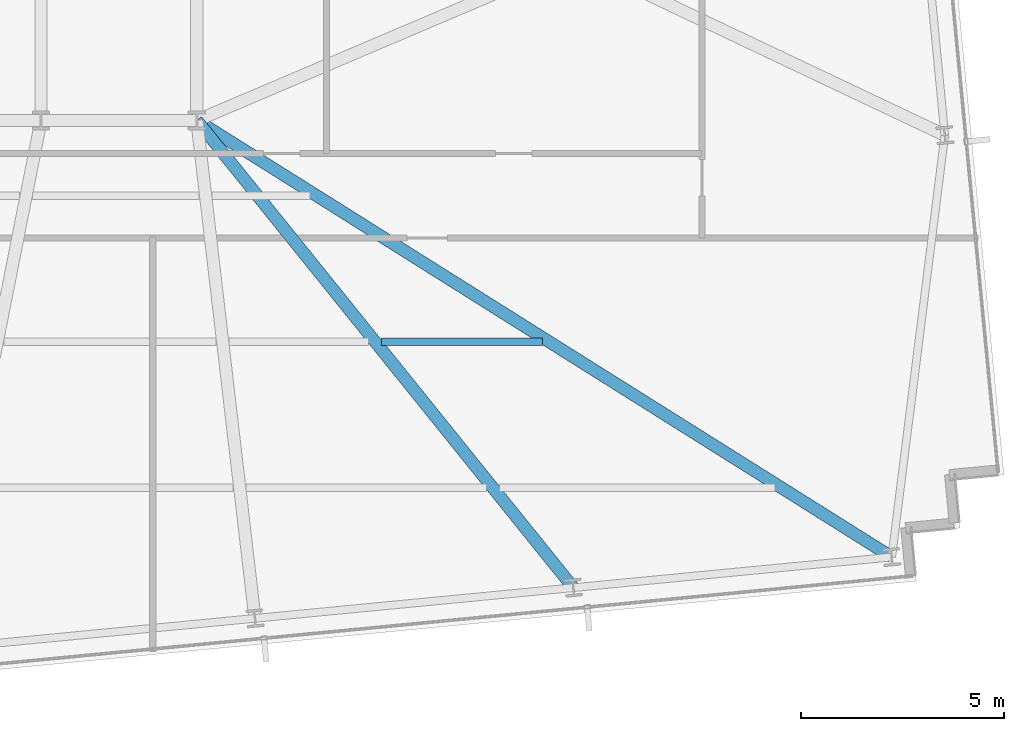
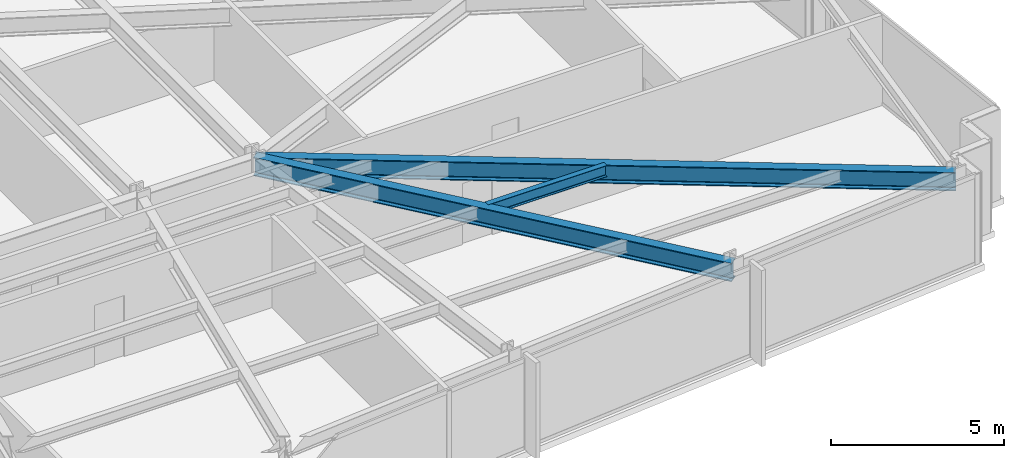
# One storey, part 13 of 32: 3 beams.
"""IFC4 building model written with IfcOpenShell, lengths in metres."""

import ifcopenshell
import ifcopenshell.guid

model = None  # the IFC model being written
_history = None  # IfcOwnerHistory: only IFC2X3 demands one
_inside = {}  # id of a spatial element -> (the spatial element, [elements in it])
_under = {}  # id of a project, library or spatial element -> (it, [spatial elements below it])
_declared = {}  # id of a project -> (the project, [libraries it declares])
_typed = {}  # id of a type object -> (the type object, [elements of that type])
_made_of = {}  # id of a material, layer set ... -> (it, [elements and type objects made of it])


def new_model(schema):
    """Start an empty IFC model of exactly this schema.

    Asked for "IFC4X3", IfcOpenShell would pick the latest addendum, in which some entities
    have other attributes; the version numbers below select the first issue.
    IFC2X3 requires an IfcOwnerHistory on every rooted entity: one is made here for all.
    """
    global model, _history
    if schema == "IFC4X3":
        model = ifcopenshell.file(schema_version=(4, 3, 0, 0))
    else:
        model = ifcopenshell.file(schema=schema)
    _inside.clear()
    _under.clear()
    _declared.clear()
    _typed.clear()
    _made_of.clear()
    _history = None
    if model.schema == "IFC2X3":
        org = make("IfcOrganization", Name="unknown")
        user = make(
            "IfcPersonAndOrganization",
            ThePerson=make("IfcPerson", FamilyName="unknown"),
            TheOrganization=org,
        )
        app = make(
            "IfcApplication",
            ApplicationDeveloper=org,
            Version="unknown",
            ApplicationFullName="unknown",
            ApplicationIdentifier="unknown",
        )
        _history = make(
            "IfcOwnerHistory",
            OwningUser=user,
            OwningApplication=app,
            ChangeAction="ADDED",
            CreationDate=0,
        )
    return model


def make(cls, **values):
    """One entity of the class cls with the attributes given. An attribute that is None is left unset."""
    return model.create_entity(
        cls, **{name: value for name, value in values.items() if value is not None}
    )


def rooted(cls, **values):
    """An entity with a GlobalId (a new one), such as an element, a storey or a relation."""
    return make(cls, GlobalId=ifcopenshell.guid.new(), OwnerHistory=_history, **values)


def si_unit(unit_type, name, prefix=None):
    """IfcSIUnit, for example si_unit("LENGTHUNIT", "METRE", prefix="MILLI")."""
    return make("IfcSIUnit", UnitType=unit_type, Prefix=prefix, Name=name)


def assignment(units):
    """IfcUnitAssignment: the units of a project."""
    return None if units is None else make("IfcUnitAssignment", Units=units)


def point(xyz):
    """IfcCartesianPoint."""
    return None if xyz is None else make("IfcCartesianPoint", Coordinates=xyz)


def direction(xyz):
    """IfcDirection."""
    return None if xyz is None else make("IfcDirection", DirectionRatios=xyz)


def frame(location, z_axis=None, x_axis=None):
    """IfcAxis2Placement3D, a coordinate frame: its origin and axes. An axis left out is left unset."""
    return make(
        "IfcAxis2Placement3D",
        Location=point(location),
        Axis=direction(z_axis),
        RefDirection=direction(x_axis),
    )


def frame_2d(location, x_axis=None):
    """IfcAxis2Placement2D, a coordinate frame in the plane: its origin and x axis."""
    return make(
        "IfcAxis2Placement2D", Location=point(location), RefDirection=direction(x_axis)
    )


def origin():
    """The frame at (0, 0, 0) with its axes left unset."""
    return frame((0.0, 0.0, 0.0))


def origin_2d():
    """The frame at (0, 0) in the plane with its x axis left unset."""
    return frame_2d((0.0, 0.0))


def place(relative_to, where):
    """IfcLocalPlacement: puts the frame where relative to a parent placement (None: the world)."""
    return make(
        "IfcLocalPlacement", PlacementRelTo=relative_to, RelativePlacement=where
    )


def context(
    kind, dimensions, precision=None, world=None, true_north=None, identifier=None
):
    """IfcGeometricRepresentationContext, for example the 3D "Model" context."""
    return make(
        "IfcGeometricRepresentationContext",
        ContextIdentifier=identifier,
        ContextType=kind,
        CoordinateSpaceDimension=dimensions,
        Precision=precision,
        WorldCoordinateSystem=world,
        TrueNorth=true_north,
    )


def subcontext(parent, identifier, kind, view, scale=None):
    """IfcGeometricRepresentationSubContext, for example "Body" below "Model"."""
    return make(
        "IfcGeometricRepresentationSubContext",
        ContextIdentifier=identifier,
        ContextType=kind,
        ParentContext=parent,
        TargetScale=scale,
        TargetView=view,
    )


def project(units=None, contexts=None):
    """IfcProject with its units and contexts."""
    return rooted(
        "IfcProject",
        Name="project",
        RepresentationContexts=contexts,
        UnitsInContext=assignment(units),
    )


def spatial(cls, under=None, at=None, **own):
    """A site, building, storey or space (cls), placed at a placement, below another one or the project."""
    s = rooted(cls, ObjectPlacement=at, **own)
    if under is not None:
        _under.setdefault(under.id(), (under, []))[1].append(s)
    return s


def profile(cls, at=None, kind="AREA", **sizes):
    """A parametric profile (cls). Its sizes go by their IFC names, for example OverallWidth=200.0."""
    return make(cls, ProfileType=kind, Position=at, **sizes)


def i_section(**sizes):
    """IfcIShapeProfileDef."""
    return profile("IfcIShapeProfileDef", **sizes)


def extrude(swept, where, along, depth):
    """IfcExtrudedAreaSolid: the profile swept, set in the frame where, extruded along a direction by depth."""
    return make(
        "IfcExtrudedAreaSolid",
        SweptArea=swept,
        Position=where,
        ExtrudedDirection=direction(along),
        Depth=depth,
    )


def shape(context_of_items, identifier, shape_type, items):
    """IfcShapeRepresentation: the items that make up one representation, for example the "Body"."""
    return make(
        "IfcShapeRepresentation",
        ContextOfItems=context_of_items,
        RepresentationIdentifier=identifier,
        RepresentationType=shape_type,
        Items=items,
    )


def material(Name=None, Category=None):
    """IfcMaterial."""
    return make("IfcMaterial", Name=Name, Category=Category)


def material_profile(
    of_material, cross_section, Name=None, Category=None, Priority=None
):
    """IfcMaterialProfile: a cross section and its material."""
    return make(
        "IfcMaterialProfile",
        Name=Name,
        Material=of_material,
        Profile=cross_section,
        Priority=Priority,
        Category=Category,
    )


def profile_set(profiles, Name=None, composite=None):
    """IfcMaterialProfileSet."""
    return make(
        "IfcMaterialProfileSet",
        Name=Name,
        MaterialProfiles=profiles,
        CompositeProfile=composite,
    )


def made_of(thing, what):
    """Note that an element or type object is made of a material, layer set ...; save() writes the relation."""
    if what is not None:
        _made_of.setdefault(what.id(), (what, []))[1].append(thing)
    return thing


def type_object(cls, material=None, **own):
    """A type object (cls), such as IfcWallType, which elements share."""
    return made_of(rooted(cls, **own), material)


def element(
    cls,
    number,
    at=None,
    inside=None,
    cuts=None,
    type_object=None,
    material=None,
    context=None,
    identifier="Body",
    shape_type=None,
    held_by="IfcProductDefinitionShape",
    body=None,
    shapes=None,
    **own,
):
    """One element of the class cls, such as IfcWall. Its Tag is "e" and its number.

    at: its placement. inside: the storey or other place that contains it. cuts: it is an
    opening in that element (IfcRelVoidsElement). A single representation is given by context,
    identifier, shape_type and body (its items); several are given by shapes. held_by: the class
    of the entity that holds the representations. save() writes the other relations.
    """
    e = rooted(cls, Tag="e%d" % number, ObjectPlacement=at, **own)
    if body is not None:
        shapes = [shape(context, identifier, shape_type, body)]
    if shapes is not None:
        e.Representation = make(held_by, Representations=shapes)
    if inside is not None:
        _inside.setdefault(inside.id(), (inside, []))[1].append(e)
    if cuts is not None:
        rooted(
            "IfcRelVoidsElement", RelatingBuildingElement=cuts, RelatedOpeningElement=e
        )
    if type_object is not None:
        _typed.setdefault(type_object.id(), (type_object, []))[1].append(e)
    return made_of(e, material)


def aggregate(whole, parts):
    """IfcRelAggregates: a whole, such as a stair, and the parts it consists of."""
    return rooted("IfcRelAggregates", RelatingObject=whole, RelatedObjects=parts)


def save(model, path):
    """Write the relations noted so far, then the file.

    IfcRelAggregates (storeys below a building ...), IfcRelContainedInSpatialStructure (elements
    in a storey), IfcRelDefinesByType, IfcRelAssociatesMaterial and IfcRelDeclares: one each for
    every whole, place, type object, material and project.
    """
    for whole, parts in _under.values():
        aggregate(whole, parts)
    for where, things in _inside.values():
        rooted(
            "IfcRelContainedInSpatialStructure",
            RelatedElements=things,
            RelatingStructure=where,
        )
    for kind, things in _typed.values():
        rooted("IfcRelDefinesByType", RelatedObjects=things, RelatingType=kind)
    for what, things in _made_of.values():
        rooted("IfcRelAssociatesMaterial", RelatedObjects=things, RelatingMaterial=what)
    for by, libraries in _declared.values():
        rooted("IfcRelDeclares", RelatingContext=by, RelatedDefinitions=libraries)
    model.write(path)


model = new_model("IFC4")

# Units and contexts
model_context = context("Model", 3, precision=1e-05, world=origin(), true_north=direction((0.0, 1.0)))
body_context = subcontext(model_context, "Body", "Model", "MODEL_VIEW")
ifc_project = project(units=[si_unit("LENGTHUNIT", "METRE"), si_unit("AREAUNIT", "SQUARE_METRE"), si_unit("VOLUMEUNIT", "CUBIC_METRE"), si_unit("PLANEANGLEUNIT", "RADIAN"), si_unit("MASSUNIT", "GRAM", prefix="KILO")], contexts=[model_context])

# Site, building, storey
site_placement = place(None, origin())
site = spatial("IfcSite", under=ifc_project, at=site_placement, CompositionType="ELEMENT")
building_placement = place(site_placement, origin())
building = spatial("IfcBuilding", under=site, at=building_placement, Name="Yelkora Congress Tower", CompositionType="ELEMENT")
storey_placement = place(building_placement, frame((0.0, 0.0, 99.89990234375)))
storey = spatial("IfcBuildingStorey", under=building, at=storey_placement, Name="L26", CompositionType="ELEMENT", Elevation=99.89990234375)

# Beams
ifc_material = material(Name="Steel S355J2", Category="steel")
ifc_material_profile_1 = material_profile(ifc_material, i_section(OverallWidth=0.300048828125, OverallDepth=0.64990234375, WebThickness=0.01611328125, FlangeThickness=0.031005859375, FilletRadius=0.027099609375, at=origin_2d()), Name="HEB 650")
ifc_profile_set_1 = profile_set([ifc_material_profile_1], Name="Steel S355J2")
beam_type_1 = type_object("IfcBeamType", Name="BM-GIRD-HEB650", PredefinedType="BEAM", material=ifc_profile_set_1)
beam_1_placement = place(storey_placement, frame((66.882568359375, 13.67919921875, 2.85498046875), z_axis=(-0.627405981031, 0.778692323686, 0.0), x_axis=(-0.778692323686, -0.627405981031, 0.0)))
element("IfcBeam", 1, at=beam_1_placement, inside=storey, type_object=beam_type_1, Name="L26 Primary Frame Girder S07", PredefinedType="BEAM", context=body_context, shape_type="SweptSolid", body=[
    extrude(i_section(OverallWidth=0.300048828125, OverallDepth=0.64990234375, WebThickness=0.01611328125, FlangeThickness=0.031005859375, FilletRadius=0.027099609375, at=origin_2d()), origin(), (0.0, 0.0, 1.0), 14.794921875),
])
beam_2_placement = place(storey_placement, frame((74.73193359375, 14.43505859375, 2.85498046875), z_axis=(-0.846718708798, 0.532040814385, 0.0), x_axis=(-0.532040814385, -0.846718708798, 0.0)))
element("IfcBeam", 2, at=beam_2_placement, inside=storey, type_object=beam_type_1, Name="L26 Primary Frame Girder S08", PredefinedType="BEAM", context=body_context, shape_type="SweptSolid", body=[
    extrude(i_section(OverallWidth=0.300048828125, OverallDepth=0.64990234375, WebThickness=0.01611328125, FlangeThickness=0.031005859375, FilletRadius=0.027099609375, at=origin_2d()), origin(), (0.0, 0.0, 1.0), 20.233154296875),
])
ifc_material_profile_2 = material_profile(ifc_material, i_section(OverallWidth=0.179931640625, OverallDepth=0.39990234375, WebThickness=0.008544921875, FlangeThickness=0.013427734375, FilletRadius=0.02099609375, at=origin_2d()), Name="IPE 400")
ifc_profile_set_2 = profile_set([ifc_material_profile_2], Name="Steel S355J2")
beam_type_2 = type_object("IfcBeamType", Name="BM-JOIST-IPE400", PredefinedType="JOIST", material=ifc_profile_set_2)
beam_3_placement = place(storey_placement, frame((62.15576171875, 19.744384765625, 2.97998046875), z_axis=(1.0, 0.0, 0.0), x_axis=(0.0, 1.0, 0.0)))
element("IfcBeam", 3, at=beam_3_placement, inside=storey, type_object=beam_type_2, Name="L26 Composite Floor Joist 17", PredefinedType="JOIST", context=body_context, shape_type="SweptSolid", body=[
    extrude(i_section(OverallWidth=0.179931640625, OverallDepth=0.39990234375, WebThickness=0.008544921875, FlangeThickness=0.013427734375, FilletRadius=0.02099609375, at=origin_2d()), origin(), (0.0, 0.0, 1.0), 3.966552734375),
])

save(model, "model.ifc")
